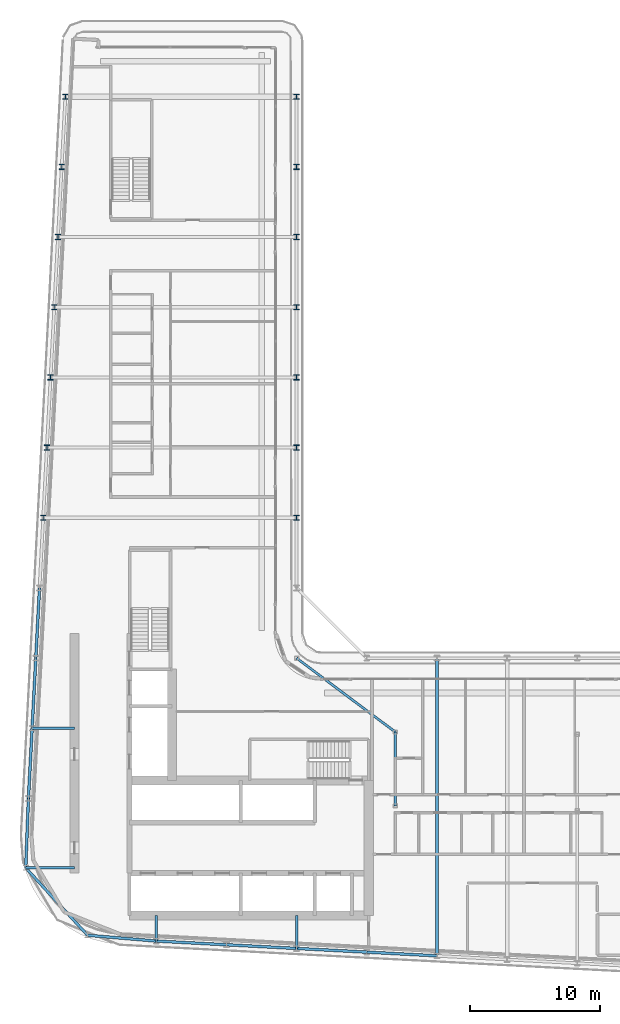
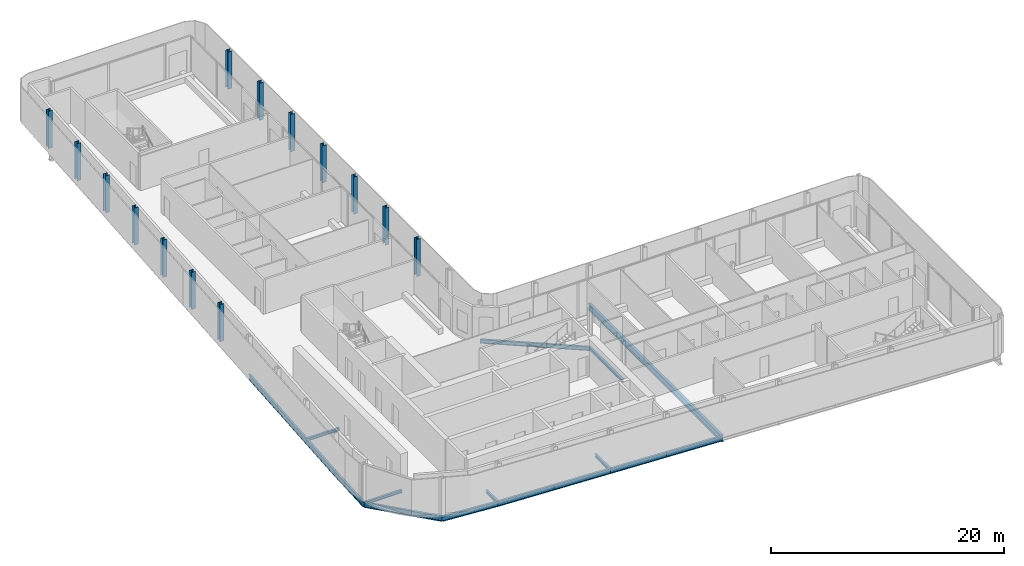
# One storey, part 3 of 21: 17 beams, 14 columns.
"""IFC4 building model written with IfcOpenShell, lengths in metres."""

from ifc_helpers import new_model, si_unit, direction, frame, origin, origin_2d, place, context, subcontext, project, spatial, i_section, extrude, material, material_profile, profile_set, type_object, element, save


model = new_model("IFC4")

# Units and contexts
model_context = context("Model", 3, precision=1e-05, world=origin(), true_north=direction((0.0, 1.0)))
body_context = subcontext(model_context, "Body", "Model", "MODEL_VIEW")
ifc_project = project(units=[si_unit("LENGTHUNIT", "METRE"), si_unit("AREAUNIT", "SQUARE_METRE"), si_unit("VOLUMEUNIT", "CUBIC_METRE"), si_unit("PLANEANGLEUNIT", "RADIAN"), si_unit("MASSUNIT", "GRAM", prefix="KILO")], contexts=[model_context])

# Site, building, storey
site_placement = place(None, origin())
site = spatial("IfcSite", under=ifc_project, at=site_placement, CompositionType="ELEMENT")
building_placement = place(site_placement, origin())
building = spatial("IfcBuilding", under=site, at=building_placement, Name="Kheshtan School and Residences Tower", CompositionType="ELEMENT")
storey_placement = place(building_placement, frame((0.0, 0.0, 231.800048828125)))
storey = spatial("IfcBuildingStorey", under=building, at=storey_placement, Name="L54", CompositionType="ELEMENT", Elevation=231.800048828125)

# Columns
ifc_material = material(Name="Steel ASTM A992 Grade 50", Category="steel")
ifc_material_profile_1 = material_profile(ifc_material, i_section(OverallWidth=0.404052734375, OverallDepth=0.406982421875, WebThickness=0.027099609375, FlangeThickness=0.043701171875, FilletRadius=0.01220703125, at=origin_2d()), Name="W360x347")
ifc_profile_set_1 = profile_set([ifc_material_profile_1], Name="Steel ASTM A992 Grade 50")
column_type = type_object("IfcColumnType", Name="Column C4 W360x347 ASTM A992 Grade 50", PredefinedType="COLUMN", material=ifc_profile_set_1)
for number, where, z_axis, x_axis, name in (
    (1, (28.10595703125, 56.39990234375, 0.0), (0.0, 0.0, 1.0), (1.0, 0.0, 0.0), "Column C080"),
    (2, (47.60009765625, 56.39990234375, 0.0), (0.0, 0.0, 1.0), (1.0, 0.0, 0.0), "Column C081"),
    (3, (28.389892578125, 61.800048828125, 0.0), (0.0, 0.0, 1.0), (1.0, 0.0, 0.0), "Column C082"),
    (4, (47.60009765625, 61.800048828125, 0.0), (0.0, 0.0, 1.0), (1.0, 0.0, 0.0), "Column C083"),
    (5, (28.674072265625, 67.199951171875, 0.0), (0.0, 0.0, 1.0), (1.0, 0.0, 0.0), "Column C084"),
    (6, (47.60009765625, 67.199951171875, 0.0), (0.0, 0.0, 1.0), (1.0, 0.0, 0.0), "Column C085"),
    (7, (28.9580078125, 72.60009765625, 0.0), (0.0, 0.0, 1.0), (1.0, 0.0, 0.0), "Column C086"),
    (8, (47.60009765625, 72.60009765625, 0.0), (0.0, 0.0, 1.0), (1.0, 0.0, 0.0), "Column C087"),
    (9, (29.242919921875, 78.0, 0.0), (0.0, 0.0, 1.0), (1.0, 0.0, 0.0), "Column C088"),
    (10, (47.60009765625, 78.0, 0.0), (0.0, 0.0, 1.0), (1.0, 0.0, 0.0), "Column C089"),
    (11, (29.527099609375, 83.39990234375, 0.0), (0.0, 0.0, 1.0), (1.0, 0.0, 0.0), "Column C090"),
    (12, (47.60009765625, 83.39990234375, 0.0), (0.0, 0.0, 1.0), (1.0, 0.0, 0.0), "Column C091"),
    (13, (29.81103515625, 88.800048828125, 0.0), (0.0, 0.0, 1.0), (1.0, 0.0, 0.0), "Column C098"),
    (14, (47.60009765625, 88.800048828125, 0.0), (0.0, 0.0, 1.0), (1.0, 0.0, 0.0), "Column C099"),
):
    element("IfcColumn", number, at=place(storey_placement, frame(where, z_axis=z_axis, x_axis=x_axis)), inside=storey, type_object=column_type, Name=name, PredefinedType="COLUMN", context=body_context, shape_type="SweptSolid", body=[
        extrude(i_section(OverallWidth=0.404052734375, OverallDepth=0.406982421875, WebThickness=0.027099609375, FlangeThickness=0.043701171875, FilletRadius=0.01220703125, at=origin_2d()), origin(), (0.0, 0.0, 1.0), 3.89990234375),
    ])

# Beams
ifc_material_profile_2 = material_profile(ifc_material, i_section(OverallWidth=0.202880859375, OverallDepth=0.302978515625, WebThickness=0.007568359375, FlangeThickness=0.01318359375, FilletRadius=0.009033203125, at=origin_2d()), Name="W310x60")
ifc_profile_set_2 = profile_set([ifc_material_profile_2], Name="Steel ASTM A992 Grade 50")
beam_type_1 = type_object("IfcBeamType", Name="Beam FB1 W310x60 ASTM A992 Grade 50", PredefinedType="BEAM", material=ifc_profile_set_2)
beam_1_placement = place(storey_placement, frame((47.60009765625, 23.263916015625, -0.301513671875), z_axis=(0.0, 1.0, 0.0), x_axis=(-1.0, 0.0, 0.0)))
element("IfcBeam", 15, at=beam_1_placement, inside=storey, type_object=beam_type_1, Name="Floor beam C020", PredefinedType="BEAM", context=body_context, shape_type="SweptSolid", body=[
    extrude(i_section(OverallWidth=0.202880859375, OverallDepth=0.302978515625, WebThickness=0.007568359375, FlangeThickness=0.01318359375, FilletRadius=0.009033203125, at=origin_2d()), origin(), (0.0, 0.0, 1.0), 2.5361328125),
])
beam_2_placement = place(storey_placement, frame((36.800048828125, 23.83203125, -0.301513671875), z_axis=(0.0, 1.0, 0.0), x_axis=(-1.0, 0.0, 0.0)))
element("IfcBeam", 16, at=beam_2_placement, inside=storey, type_object=beam_type_1, Name="Floor beam C022", PredefinedType="BEAM", context=body_context, shape_type="SweptSolid", body=[
    extrude(i_section(OverallWidth=0.202880859375, OverallDepth=0.302978515625, WebThickness=0.007568359375, FlangeThickness=0.01318359375, FilletRadius=0.009033203125, at=origin_2d()), origin(), (0.0, 0.0, 1.0), 1.968017578125),
])
beam_3_placement = place(storey_placement, frame((26.760986328125, 29.465087890625, -0.301513671875), z_axis=(1.0, 0.0, 0.0), x_axis=(0.0, 1.0, 0.0)))
element("IfcBeam", 17, at=beam_3_placement, inside=storey, type_object=beam_type_1, Name="Floor beam C042", PredefinedType="BEAM", context=body_context, shape_type="SweptSolid", body=[
    extrude(i_section(OverallWidth=0.202880859375, OverallDepth=0.302978515625, WebThickness=0.007568359375, FlangeThickness=0.01318359375, FilletRadius=0.009033203125, at=origin_2d()), origin(), (0.0, 0.0, 1.0), 3.739013671875),
])
beam_4_placement = place(storey_placement, frame((27.2529296875, 40.199951171875, -0.301513671875), z_axis=(1.0, 0.0, 0.0), x_axis=(0.0, 1.0, 0.0)))
element("IfcBeam", 18, at=beam_4_placement, inside=storey, type_object=beam_type_1, Name="Floor beam C056", PredefinedType="BEAM", context=body_context, shape_type="SweptSolid", body=[
    extrude(i_section(OverallWidth=0.202880859375, OverallDepth=0.302978515625, WebThickness=0.007568359375, FlangeThickness=0.01318359375, FilletRadius=0.009033203125, at=origin_2d()), origin(), (0.0, 0.0, 1.0), 3.2470703125),
])
beam_5_placement = place(storey_placement, frame((55.199951171875, 34.23193359375, -0.301513671875), z_axis=(0.0, 1.0, 0.0), x_axis=(-1.0, 0.0, 0.0)))
element("IfcBeam", 19, at=beam_5_placement, inside=storey, type_object=beam_type_1, Name="Floor beam IC", PredefinedType="BEAM", context=body_context, shape_type="SweptSolid", body=[
    extrude(i_section(OverallWidth=0.202880859375, OverallDepth=0.302978515625, WebThickness=0.007568359375, FlangeThickness=0.01318359375, FilletRadius=0.009033203125, at=origin_2d()), origin(), (0.0, 0.0, 1.0), 5.68408203125),
])
ifc_material_profile_3 = material_profile(ifc_material, i_section(OverallWidth=0.180908203125, OverallDepth=0.4169921875, WebThickness=0.010986328125, FlangeThickness=0.018310546875, FilletRadius=0.012451171875, at=origin_2d()), Name="W410x85")
ifc_profile_set_3 = profile_set([ifc_material_profile_3], Name="Steel ASTM A992 Grade 50")
beam_type_2 = type_object("IfcBeamType", Name="Beam FB3 W410x85 ASTM A992 Grade 50", PredefinedType="BEAM", material=ifc_profile_set_3)
beam_6_placement = place(storey_placement, frame((47.60009765625, 45.60009765625, -0.358642578125), z_axis=(0.800798828004, -0.598933416222, 0.0), x_axis=(0.598933416222, 0.800798828004, 0.0)))
element("IfcBeam", 20, at=beam_6_placement, inside=storey, type_object=beam_type_2, Name="Floor beam IC", PredefinedType="BEAM", context=body_context, shape_type="SweptSolid", body=[
    extrude(i_section(OverallWidth=0.180908203125, OverallDepth=0.4169921875, WebThickness=0.010986328125, FlangeThickness=0.018310546875, FilletRadius=0.012451171875, at=origin_2d()), origin(), (0.0, 0.0, 1.0), 9.490234375),
])
ifc_material_profile_4 = material_profile(ifc_material, i_section(OverallWidth=0.2529296875, OverallDepth=0.677978515625, WebThickness=0.01171875, FlangeThickness=0.016357421875, FilletRadius=0.0146484375, at=origin_2d()), Name="W690x125")
ifc_profile_set_4 = profile_set([ifc_material_profile_4], Name="Steel ASTM A992 Grade 50")
beam_type_3 = type_object("IfcBeamType", Name="Beam FB6 W690x125 ASTM A992 Grade 50", PredefinedType="BEAM", material=ifc_profile_set_4)
beam_7_placement = place(storey_placement, frame((58.39990234375, 22.695068359375, -0.489013671875), z_axis=(0.0, 1.0, 0.0), x_axis=(-1.0, 0.0, 0.0)))
element("IfcBeam", 21, at=beam_7_placement, inside=storey, type_object=beam_type_3, Name="Floor beam C018", PredefinedType="BEAM", context=body_context, shape_type="SweptSolid", body=[
    extrude(i_section(OverallWidth=0.2529296875, OverallDepth=0.677978515625, WebThickness=0.01171875, FlangeThickness=0.016357421875, FilletRadius=0.0146484375, at=origin_2d()), origin(), (0.0, 0.0, 1.0), 22.905029296875),
])
ifc_material_profile_5 = material_profile(ifc_material, i_section(OverallWidth=0.208984375, OverallDepth=0.532958984375, WebThickness=0.01025390625, FlangeThickness=0.015625, FilletRadius=0.013916015625, at=origin_2d()), Name="W530x92")
ifc_profile_set_5 = profile_set([ifc_material_profile_5], Name="Steel ASTM A992 Grade 50")
beam_type_4 = type_object("IfcBeamType", Name="Beam SP3 W530x92 ASTM A992 Grade 50", PredefinedType="BEAM", material=ifc_profile_set_5)
for number, where, z_axis, x_axis, name in (
    (22, (58.39990234375, 22.695068359375, -0.41650390625), (-0.998610961136, 0.052689166816, 0.0), (-0.052689166816, -0.998610961136, 0.0), "Spandrel beam C018-C019"),
    (23, (53.0, 22.97998046875, -0.41650390625), (-0.998620447272, 0.05250906864, 0.0), (-0.05250906864, -0.998620447272, 0.0), "Spandrel beam C019-C020"),
):
    element("IfcBeam", number, at=place(storey_placement, frame(where, z_axis=z_axis, x_axis=x_axis)), inside=storey, type_object=beam_type_4, Name=name, PredefinedType="BEAM", context=body_context, shape_type="SweptSolid", body=[
        extrude(i_section(OverallWidth=0.208984375, OverallDepth=0.532958984375, WebThickness=0.01025390625, FlangeThickness=0.015625, FilletRadius=0.013916015625, at=origin_2d()), origin(), (0.0, 0.0, 1.0), 5.407470703125),
    ])
beam_8_placement = place(storey_placement, frame((47.60009765625, 23.263916015625, -0.41650390625), z_axis=(-0.998618203458, 0.052551724256, 0.0), x_axis=(-0.052551724256, -0.998618203458, 0.0)))
element("IfcBeam", 24, at=beam_8_placement, inside=storey, type_object=beam_type_4, Name="Spandrel beam C020-C021", PredefinedType="BEAM", context=body_context, shape_type="SweptSolid", body=[
    extrude(i_section(OverallWidth=0.208984375, OverallDepth=0.532958984375, WebThickness=0.01025390625, FlangeThickness=0.015625, FilletRadius=0.013916015625, at=origin_2d()), origin(), (0.0, 0.0, 1.0), 5.40771484375),
])
beam_9_placement = place(storey_placement, frame((42.199951171875, 23.548095703125, -0.41650390625), z_axis=(-0.998620447272, 0.05250906864, 0.0), x_axis=(-0.05250906864, -0.998620447272, 0.0)))
element("IfcBeam", 25, at=beam_9_placement, inside=storey, type_object=beam_type_4, Name="Spandrel beam C021-C022", PredefinedType="BEAM", context=body_context, shape_type="SweptSolid", body=[
    extrude(i_section(OverallWidth=0.208984375, OverallDepth=0.532958984375, WebThickness=0.01025390625, FlangeThickness=0.015625, FilletRadius=0.013916015625, at=origin_2d()), origin(), (0.0, 0.0, 1.0), 5.407470703125),
])
beam_10_placement = place(storey_placement, frame((36.800048828125, 23.83203125, -0.41650390625), z_axis=(-0.996468782973, 0.083964067084, 0.0), x_axis=(-0.083964067084, -0.996468782973, 0.0)))
element("IfcBeam", 26, at=beam_10_placement, inside=storey, type_object=beam_type_4, Name="Spandrel beam C022-C029", PredefinedType="BEAM", context=body_context, shape_type="SweptSolid", body=[
    extrude(i_section(OverallWidth=0.208984375, OverallDepth=0.532958984375, WebThickness=0.01025390625, FlangeThickness=0.015625, FilletRadius=0.013916015625, at=origin_2d()), origin(), (0.0, 0.0, 1.0), 5.30078125),
])
beam_11_placement = place(storey_placement, frame((31.51806640625, 24.277099609375, -0.41650390625), z_axis=(-0.675834565475, 0.737053349568, 0.0), x_axis=(-0.737053349568, -0.675834565475, 0.0)))
element("IfcBeam", 27, at=beam_11_placement, inside=storey, type_object=beam_type_4, Name="Spandrel beam C029-C042", PredefinedType="BEAM", context=body_context, shape_type="SweptSolid", body=[
    extrude(i_section(OverallWidth=0.208984375, OverallDepth=0.532958984375, WebThickness=0.01025390625, FlangeThickness=0.015625, FilletRadius=0.013916015625, at=origin_2d()), origin(), (0.0, 0.0, 1.0), 7.038818359375),
])
beam_12_placement = place(storey_placement, frame((26.760986328125, 29.465087890625, -0.41650390625), z_axis=(0.038959964217, 0.999240772381, 0.0), x_axis=(-0.999240772381, 0.038959964217, 0.0)))
element("IfcBeam", 28, at=beam_12_placement, inside=storey, type_object=beam_type_4, Name="Spandrel beam C042-C052", PredefinedType="BEAM", context=body_context, shape_type="SweptSolid", body=[
    extrude(i_section(OverallWidth=0.208984375, OverallDepth=0.532958984375, WebThickness=0.01025390625, FlangeThickness=0.015625, FilletRadius=0.013916015625, at=origin_2d()), origin(), (0.0, 0.0, 1.0), 5.339111328125),
])
beam_13_placement = place(storey_placement, frame((26.968994140625, 34.800048828125, -0.41650390625), z_axis=(0.05250906864, 0.998620447272, 0.0), x_axis=(-0.998620447272, 0.05250906864, 0.0)))
element("IfcBeam", 29, at=beam_13_placement, inside=storey, type_object=beam_type_4, Name="Spandrel beam C052-C056", PredefinedType="BEAM", context=body_context, shape_type="SweptSolid", body=[
    extrude(i_section(OverallWidth=0.208984375, OverallDepth=0.532958984375, WebThickness=0.01025390625, FlangeThickness=0.015625, FilletRadius=0.013916015625, at=origin_2d()), origin(), (0.0, 0.0, 1.0), 5.407470703125),
])
beam_14_placement = place(storey_placement, frame((27.2529296875, 40.199951171875, -0.41650390625), z_axis=(0.052551724256, 0.998618203458, 0.0), x_axis=(-0.998618203458, 0.052551724256, 0.0)))
element("IfcBeam", 30, at=beam_14_placement, inside=storey, type_object=beam_type_4, Name="Spandrel beam C056-C059", PredefinedType="BEAM", context=body_context, shape_type="SweptSolid", body=[
    extrude(i_section(OverallWidth=0.208984375, OverallDepth=0.532958984375, WebThickness=0.01025390625, FlangeThickness=0.015625, FilletRadius=0.013916015625, at=origin_2d()), origin(), (0.0, 0.0, 1.0), 5.40771484375),
])
beam_15_placement = place(storey_placement, frame((27.537109375, 45.60009765625, -0.41650390625), z_axis=(0.052689166816, 0.998610961136, 0.0), x_axis=(-0.998610961136, 0.052689166816, 0.0)))
element("IfcBeam", 31, at=beam_15_placement, inside=storey, type_object=beam_type_4, Name="Spandrel beam C059-C078", PredefinedType="BEAM", context=body_context, shape_type="SweptSolid", body=[
    extrude(i_section(OverallWidth=0.208984375, OverallDepth=0.532958984375, WebThickness=0.01025390625, FlangeThickness=0.015625, FilletRadius=0.013916015625, at=origin_2d()), origin(), (0.0, 0.0, 1.0), 5.407470703125),
])

save(model, "model.ifc")
